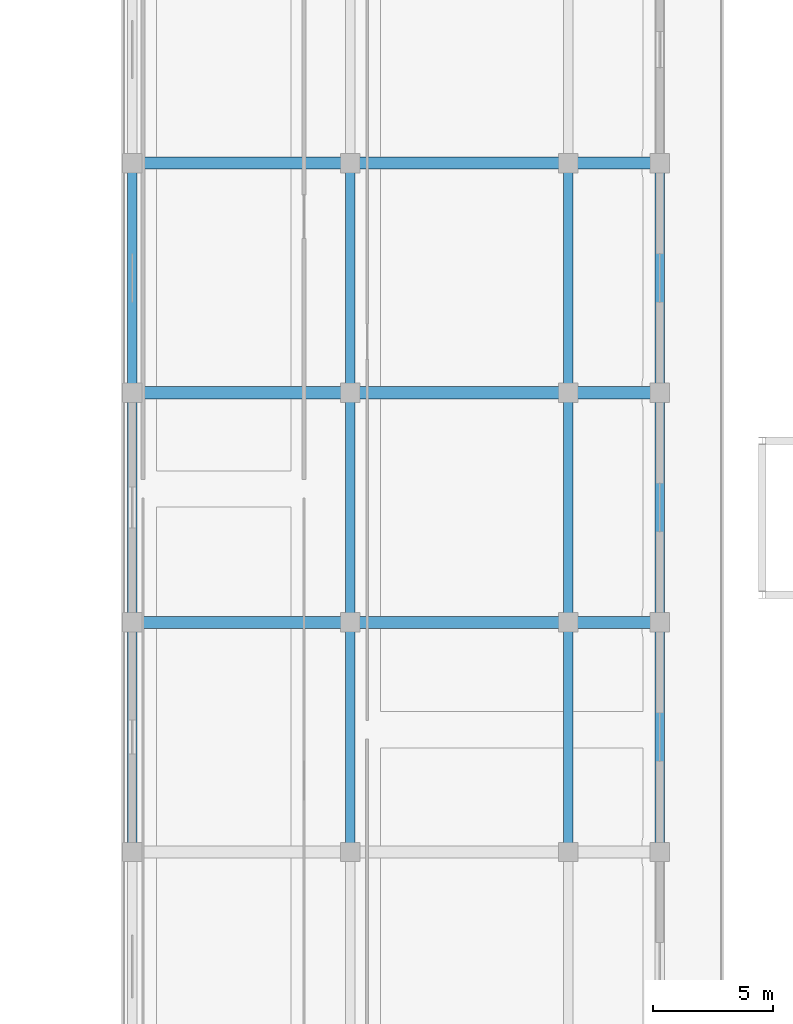
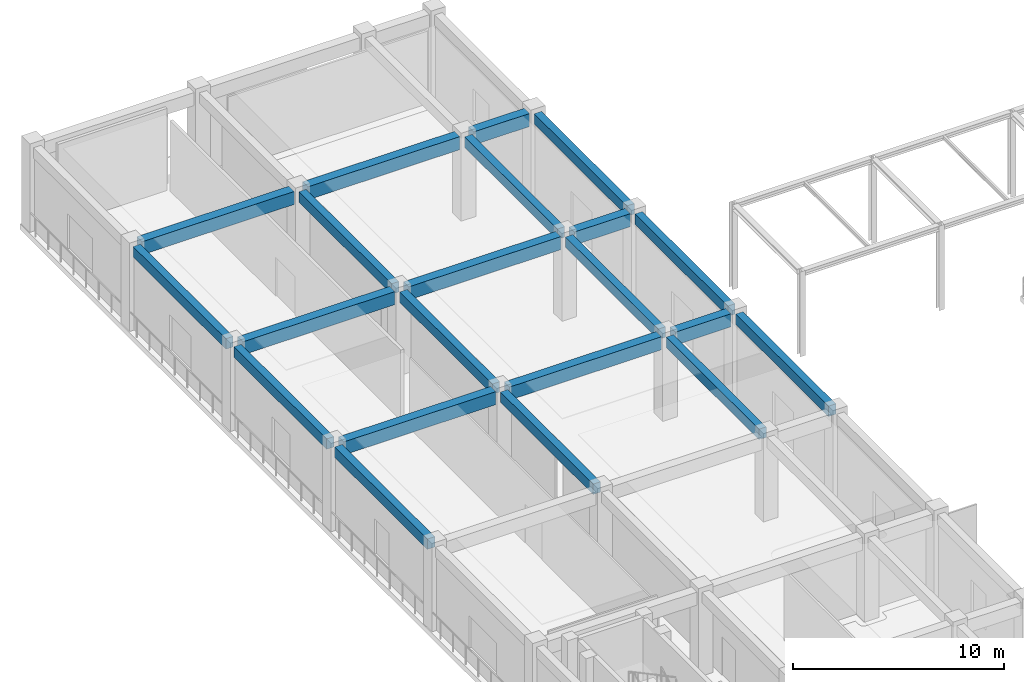
# One storey, part 50 of 99: 21 beams.
"""IFC4 building model written with IfcOpenShell, lengths in metres."""

import ifcopenshell
import ifcopenshell.guid

model = None  # the IFC model being written
_history = None  # IfcOwnerHistory: only IFC2X3 demands one
_inside = {}  # id of a spatial element -> (the spatial element, [elements in it])
_under = {}  # id of a project, library or spatial element -> (it, [spatial elements below it])
_declared = {}  # id of a project -> (the project, [libraries it declares])
_typed = {}  # id of a type object -> (the type object, [elements of that type])
_made_of = {}  # id of a material, layer set ... -> (it, [elements and type objects made of it])


def new_model(schema):
    """Start an empty IFC model of exactly this schema.

    Asked for "IFC4X3", IfcOpenShell would pick the latest addendum, in which some entities
    have other attributes; the version numbers below select the first issue.
    IFC2X3 requires an IfcOwnerHistory on every rooted entity: one is made here for all.
    """
    global model, _history
    if schema == "IFC4X3":
        model = ifcopenshell.file(schema_version=(4, 3, 0, 0))
    else:
        model = ifcopenshell.file(schema=schema)
    _inside.clear()
    _under.clear()
    _declared.clear()
    _typed.clear()
    _made_of.clear()
    _history = None
    if model.schema == "IFC2X3":
        org = make("IfcOrganization", Name="unknown")
        user = make(
            "IfcPersonAndOrganization",
            ThePerson=make("IfcPerson", FamilyName="unknown"),
            TheOrganization=org,
        )
        app = make(
            "IfcApplication",
            ApplicationDeveloper=org,
            Version="unknown",
            ApplicationFullName="unknown",
            ApplicationIdentifier="unknown",
        )
        _history = make(
            "IfcOwnerHistory",
            OwningUser=user,
            OwningApplication=app,
            ChangeAction="ADDED",
            CreationDate=0,
        )
    return model


def make(cls, **values):
    """One entity of the class cls with the attributes given. An attribute that is None is left unset."""
    return model.create_entity(
        cls, **{name: value for name, value in values.items() if value is not None}
    )


def rooted(cls, **values):
    """An entity with a GlobalId (a new one), such as an element, a storey or a relation."""
    return make(cls, GlobalId=ifcopenshell.guid.new(), OwnerHistory=_history, **values)


def si_unit(unit_type, name, prefix=None):
    """IfcSIUnit, for example si_unit("LENGTHUNIT", "METRE", prefix="MILLI")."""
    return make("IfcSIUnit", UnitType=unit_type, Prefix=prefix, Name=name)


def assignment(units):
    """IfcUnitAssignment: the units of a project."""
    return None if units is None else make("IfcUnitAssignment", Units=units)


def point(xyz):
    """IfcCartesianPoint."""
    return None if xyz is None else make("IfcCartesianPoint", Coordinates=xyz)


def direction(xyz):
    """IfcDirection."""
    return None if xyz is None else make("IfcDirection", DirectionRatios=xyz)


def frame(location, z_axis=None, x_axis=None):
    """IfcAxis2Placement3D, a coordinate frame: its origin and axes. An axis left out is left unset."""
    return make(
        "IfcAxis2Placement3D",
        Location=point(location),
        Axis=direction(z_axis),
        RefDirection=direction(x_axis),
    )


def frame_2d(location, x_axis=None):
    """IfcAxis2Placement2D, a coordinate frame in the plane: its origin and x axis."""
    return make(
        "IfcAxis2Placement2D", Location=point(location), RefDirection=direction(x_axis)
    )


def origin():
    """The frame at (0, 0, 0) with its axes left unset."""
    return frame((0.0, 0.0, 0.0))


def origin_2d():
    """The frame at (0, 0) in the plane with its x axis left unset."""
    return frame_2d((0.0, 0.0))


def place(relative_to, where):
    """IfcLocalPlacement: puts the frame where relative to a parent placement (None: the world)."""
    return make(
        "IfcLocalPlacement", PlacementRelTo=relative_to, RelativePlacement=where
    )


def context(
    kind, dimensions, precision=None, world=None, true_north=None, identifier=None
):
    """IfcGeometricRepresentationContext, for example the 3D "Model" context."""
    return make(
        "IfcGeometricRepresentationContext",
        ContextIdentifier=identifier,
        ContextType=kind,
        CoordinateSpaceDimension=dimensions,
        Precision=precision,
        WorldCoordinateSystem=world,
        TrueNorth=true_north,
    )


def subcontext(parent, identifier, kind, view, scale=None):
    """IfcGeometricRepresentationSubContext, for example "Body" below "Model"."""
    return make(
        "IfcGeometricRepresentationSubContext",
        ContextIdentifier=identifier,
        ContextType=kind,
        ParentContext=parent,
        TargetScale=scale,
        TargetView=view,
    )


def project(units=None, contexts=None):
    """IfcProject with its units and contexts."""
    return rooted(
        "IfcProject",
        Name="project",
        RepresentationContexts=contexts,
        UnitsInContext=assignment(units),
    )


def spatial(cls, under=None, at=None, **own):
    """A site, building, storey or space (cls), placed at a placement, below another one or the project."""
    s = rooted(cls, ObjectPlacement=at, **own)
    if under is not None:
        _under.setdefault(under.id(), (under, []))[1].append(s)
    return s


def profile(cls, at=None, kind="AREA", **sizes):
    """A parametric profile (cls). Its sizes go by their IFC names, for example OverallWidth=200.0."""
    return make(cls, ProfileType=kind, Position=at, **sizes)


def rectangle(**sizes):
    """IfcRectangleProfileDef."""
    return profile("IfcRectangleProfileDef", **sizes)


def extrude(swept, where, along, depth):
    """IfcExtrudedAreaSolid: the profile swept, set in the frame where, extruded along a direction by depth."""
    return make(
        "IfcExtrudedAreaSolid",
        SweptArea=swept,
        Position=where,
        ExtrudedDirection=direction(along),
        Depth=depth,
    )


def shape(context_of_items, identifier, shape_type, items):
    """IfcShapeRepresentation: the items that make up one representation, for example the "Body"."""
    return make(
        "IfcShapeRepresentation",
        ContextOfItems=context_of_items,
        RepresentationIdentifier=identifier,
        RepresentationType=shape_type,
        Items=items,
    )


def material(Name=None, Category=None):
    """IfcMaterial."""
    return make("IfcMaterial", Name=Name, Category=Category)


def material_profile(
    of_material, cross_section, Name=None, Category=None, Priority=None
):
    """IfcMaterialProfile: a cross section and its material."""
    return make(
        "IfcMaterialProfile",
        Name=Name,
        Material=of_material,
        Profile=cross_section,
        Priority=Priority,
        Category=Category,
    )


def profile_set(profiles, Name=None, composite=None):
    """IfcMaterialProfileSet."""
    return make(
        "IfcMaterialProfileSet",
        Name=Name,
        MaterialProfiles=profiles,
        CompositeProfile=composite,
    )


def made_of(thing, what):
    """Note that an element or type object is made of a material, layer set ...; save() writes the relation."""
    if what is not None:
        _made_of.setdefault(what.id(), (what, []))[1].append(thing)
    return thing


def type_object(cls, material=None, **own):
    """A type object (cls), such as IfcWallType, which elements share."""
    return made_of(rooted(cls, **own), material)


def element(
    cls,
    number,
    at=None,
    inside=None,
    cuts=None,
    type_object=None,
    material=None,
    context=None,
    identifier="Body",
    shape_type=None,
    held_by="IfcProductDefinitionShape",
    body=None,
    shapes=None,
    **own,
):
    """One element of the class cls, such as IfcWall. Its Tag is "e" and its number.

    at: its placement. inside: the storey or other place that contains it. cuts: it is an
    opening in that element (IfcRelVoidsElement). A single representation is given by context,
    identifier, shape_type and body (its items); several are given by shapes. held_by: the class
    of the entity that holds the representations. save() writes the other relations.
    """
    e = rooted(cls, Tag="e%d" % number, ObjectPlacement=at, **own)
    if body is not None:
        shapes = [shape(context, identifier, shape_type, body)]
    if shapes is not None:
        e.Representation = make(held_by, Representations=shapes)
    if inside is not None:
        _inside.setdefault(inside.id(), (inside, []))[1].append(e)
    if cuts is not None:
        rooted(
            "IfcRelVoidsElement", RelatingBuildingElement=cuts, RelatedOpeningElement=e
        )
    if type_object is not None:
        _typed.setdefault(type_object.id(), (type_object, []))[1].append(e)
    return made_of(e, material)


def aggregate(whole, parts):
    """IfcRelAggregates: a whole, such as a stair, and the parts it consists of."""
    return rooted("IfcRelAggregates", RelatingObject=whole, RelatedObjects=parts)


def save(model, path):
    """Write the relations noted so far, then the file.

    IfcRelAggregates (storeys below a building ...), IfcRelContainedInSpatialStructure (elements
    in a storey), IfcRelDefinesByType, IfcRelAssociatesMaterial and IfcRelDeclares: one each for
    every whole, place, type object, material and project.
    """
    for whole, parts in _under.values():
        aggregate(whole, parts)
    for where, things in _inside.values():
        rooted(
            "IfcRelContainedInSpatialStructure",
            RelatedElements=things,
            RelatingStructure=where,
        )
    for kind, things in _typed.values():
        rooted("IfcRelDefinesByType", RelatedObjects=things, RelatingType=kind)
    for what, things in _made_of.values():
        rooted("IfcRelAssociatesMaterial", RelatedObjects=things, RelatingMaterial=what)
    for by, libraries in _declared.values():
        rooted("IfcRelDeclares", RelatingContext=by, RelatedDefinitions=libraries)
    model.write(path)


model = new_model("IFC4")

# Units and contexts
model_context = context("Model", 3, precision=1e-05, world=origin(), true_north=direction((0.0, 1.0)))
body_context = subcontext(model_context, "Body", "Model", "MODEL_VIEW")
ifc_project = project(units=[si_unit("LENGTHUNIT", "METRE"), si_unit("AREAUNIT", "SQUARE_METRE"), si_unit("VOLUMEUNIT", "CUBIC_METRE"), si_unit("PLANEANGLEUNIT", "RADIAN"), si_unit("MASSUNIT", "GRAM", prefix="KILO")], contexts=[model_context])

# Site, building, storey
site_placement = place(None, origin())
site = spatial("IfcSite", under=ifc_project, at=site_placement, CompositionType="ELEMENT")
building_placement = place(site_placement, origin())
building = spatial("IfcBuilding", under=site, at=building_placement, Name="Saryqyr Civic Hall", CompositionType="ELEMENT")
storey_placement = place(building_placement, origin())
storey = spatial("IfcBuildingStorey", under=building, at=storey_placement, Name="L00", CompositionType="ELEMENT", Elevation=0.0)

# Beams
ifc_material_1 = material(Name="Concrete C35/45", Category="concrete")
ifc_material_profile_1 = material_profile(ifc_material_1, rectangle(XDim=0.39990234375, YDim=0.60009765625, at=origin_2d()), Name="RC 400x600")
ifc_profile_set_1 = profile_set([ifc_material_profile_1], Name="Concrete C35/45")
beam_type_1 = type_object("IfcBeamType", Name="STR-BM-RC400x600", PredefinedType="BEAM", material=ifc_profile_set_1)
for number, where, z_axis, x_axis, name in (
    (1, (8.050048828125, 127.5048828125, 4.52001953125), (0.0, 1.0, 0.0), (-1.0, 0.0, 0.0), "Beam V3-BM-NS-1-4-L00"),
    (2, (8.050048828125, 137.034912109375, 4.52001953125), (0.0, 1.0, 0.0), (-1.0, 0.0, 0.0), "Beam V3-BM-NS-1-5-L00"),
    (3, (8.050048828125, 146.56494140625, 4.52001953125), (0.0, 1.0, 0.0), (-1.0, 0.0, 0.0), "Beam V3-BM-NS-1-6-L00"),
    (4, (17.10009765625, 127.5048828125, 4.52001953125), (0.0, 1.0, 0.0), (-1.0, 0.0, 0.0), "Beam V3-BM-NS-2-4-L00"),
    (5, (17.10009765625, 137.034912109375, 4.52001953125), (0.0, 1.0, 0.0), (-1.0, 0.0, 0.0), "Beam V3-BM-NS-2-5-L00"),
    (6, (17.10009765625, 146.56494140625, 4.52001953125), (0.0, 1.0, 0.0), (-1.0, 0.0, 0.0), "Beam V3-BM-NS-2-6-L00"),
    (7, (26.14990234375, 127.5048828125, 4.52001953125), (0.0, 1.0, 0.0), (-1.0, 0.0, 0.0), "Beam V3-BM-NS-3-4-L00"),
    (8, (26.14990234375, 137.034912109375, 4.52001953125), (0.0, 1.0, 0.0), (-1.0, 0.0, 0.0), "Beam V3-BM-NS-3-5-L00"),
    (9, (26.14990234375, 146.56494140625, 4.52001953125), (0.0, 1.0, 0.0), (-1.0, 0.0, 0.0), "Beam V3-BM-NS-3-6-L00"),
    (10, (29.949951171875, 127.5048828125, 4.52001953125), (0.0, 1.0, 0.0), (-1.0, 0.0, 0.0), "Beam V3-BM-NS-4-4-L00"),
    (11, (29.949951171875, 137.034912109375, 4.52001953125), (0.0, 1.0, 0.0), (-1.0, 0.0, 0.0), "Beam V3-BM-NS-4-5-L00"),
    (12, (29.949951171875, 146.56494140625, 4.52001953125), (0.0, 1.0, 0.0), (-1.0, 0.0, 0.0), "Beam V3-BM-NS-4-6-L00"),
):
    element("IfcBeam", number, at=place(storey_placement, frame(where, z_axis=z_axis, x_axis=x_axis)), inside=storey, type_object=beam_type_1, Name=name, PredefinedType="BEAM", context=body_context, shape_type="SweptSolid", body=[
        extrude(rectangle(XDim=0.39990234375, YDim=0.60009765625, at=origin_2d()), origin(), (0.0, 0.0, 1.0), 8.780029296875),
    ])
ifc_material_2 = material(Name="Concrete C40/50", Category="concrete")
ifc_material_profile_2 = material_profile(ifc_material_2, rectangle(XDim=0.5, YDim=0.75, at=origin_2d()), Name="RC 500x750")
ifc_profile_set_2 = profile_set([ifc_material_profile_2], Name="Concrete C40/50")
beam_type_2 = type_object("IfcBeamType", Name="STR-BM-RC500x750", PredefinedType="BEAM", material=ifc_profile_set_2)
beam_1_placement = place(storey_placement, frame((8.425048828125, 136.659912109375, 4.445068359375), z_axis=(1.0, 0.0, 0.0), x_axis=(0.0, 1.0, 0.0)))
element("IfcBeam", 13, at=beam_1_placement, inside=storey, type_object=beam_type_2, Name="Beam V3-BM-EW-5-1-L00", PredefinedType="BEAM", context=body_context, shape_type="SweptSolid", body=[
    extrude(rectangle(XDim=0.5, YDim=0.75, at=origin_2d()), origin(), (0.0, 0.0, 1.0), 8.300048828125),
])
beam_2_placement = place(storey_placement, frame((17.47509765625, 136.659912109375, 4.445068359375), z_axis=(1.0, 0.0, 0.0), x_axis=(0.0, 1.0, 0.0)))
element("IfcBeam", 14, at=beam_2_placement, inside=storey, type_object=beam_type_2, Name="Beam V3-BM-EW-5-2-L00", PredefinedType="BEAM", context=body_context, shape_type="SweptSolid", body=[
    extrude(rectangle(XDim=0.5, YDim=0.75, at=origin_2d()), origin(), (0.0, 0.0, 1.0), 8.2998046875),
])
beam_3_placement = place(storey_placement, frame((26.52490234375, 136.659912109375, 4.445068359375), z_axis=(1.0, 0.0, 0.0), x_axis=(0.0, 1.0, 0.0)))
element("IfcBeam", 15, at=beam_3_placement, inside=storey, type_object=beam_type_2, Name="Beam V3-BM-EW-5-3-L00", PredefinedType="BEAM", context=body_context, shape_type="SweptSolid", body=[
    extrude(rectangle(XDim=0.5, YDim=0.75, at=origin_2d()), origin(), (0.0, 0.0, 1.0), 3.050048828125),
])
beam_4_placement = place(storey_placement, frame((8.425048828125, 146.18994140625, 4.445068359375), z_axis=(1.0, 0.0, 0.0), x_axis=(0.0, 1.0, 0.0)))
element("IfcBeam", 16, at=beam_4_placement, inside=storey, type_object=beam_type_2, Name="Beam V3-BM-EW-6-1-L00", PredefinedType="BEAM", context=body_context, shape_type="SweptSolid", body=[
    extrude(rectangle(XDim=0.5, YDim=0.75, at=origin_2d()), origin(), (0.0, 0.0, 1.0), 8.300048828125),
])
beam_5_placement = place(storey_placement, frame((17.47509765625, 146.18994140625, 4.445068359375), z_axis=(1.0, 0.0, 0.0), x_axis=(0.0, 1.0, 0.0)))
element("IfcBeam", 17, at=beam_5_placement, inside=storey, type_object=beam_type_2, Name="Beam V3-BM-EW-6-2-L00", PredefinedType="BEAM", context=body_context, shape_type="SweptSolid", body=[
    extrude(rectangle(XDim=0.5, YDim=0.75, at=origin_2d()), origin(), (0.0, 0.0, 1.0), 8.2998046875),
])
beam_6_placement = place(storey_placement, frame((26.52490234375, 146.18994140625, 4.445068359375), z_axis=(1.0, 0.0, 0.0), x_axis=(0.0, 1.0, 0.0)))
element("IfcBeam", 18, at=beam_6_placement, inside=storey, type_object=beam_type_2, Name="Beam V3-BM-EW-6-3-L00", PredefinedType="BEAM", context=body_context, shape_type="SweptSolid", body=[
    extrude(rectangle(XDim=0.5, YDim=0.75, at=origin_2d()), origin(), (0.0, 0.0, 1.0), 3.050048828125),
])
beam_7_placement = place(storey_placement, frame((8.425048828125, 155.719970703125, 4.445068359375), z_axis=(1.0, 0.0, 0.0), x_axis=(0.0, 1.0, 0.0)))
element("IfcBeam", 19, at=beam_7_placement, inside=storey, type_object=beam_type_2, Name="Beam V3-BM-EW-7-1-L00", PredefinedType="BEAM", context=body_context, shape_type="SweptSolid", body=[
    extrude(rectangle(XDim=0.5, YDim=0.75, at=origin_2d()), origin(), (0.0, 0.0, 1.0), 8.300048828125),
])
beam_8_placement = place(storey_placement, frame((17.47509765625, 155.719970703125, 4.445068359375), z_axis=(1.0, 0.0, 0.0), x_axis=(0.0, 1.0, 0.0)))
element("IfcBeam", 20, at=beam_8_placement, inside=storey, type_object=beam_type_2, Name="Beam V3-BM-EW-7-2-L00", PredefinedType="BEAM", context=body_context, shape_type="SweptSolid", body=[
    extrude(rectangle(XDim=0.5, YDim=0.75, at=origin_2d()), origin(), (0.0, 0.0, 1.0), 8.2998046875),
])
beam_9_placement = place(storey_placement, frame((26.52490234375, 155.719970703125, 4.445068359375), z_axis=(1.0, 0.0, 0.0), x_axis=(0.0, 1.0, 0.0)))
element("IfcBeam", 21, at=beam_9_placement, inside=storey, type_object=beam_type_2, Name="Beam V3-BM-EW-7-3-L00", PredefinedType="BEAM", context=body_context, shape_type="SweptSolid", body=[
    extrude(rectangle(XDim=0.5, YDim=0.75, at=origin_2d()), origin(), (0.0, 0.0, 1.0), 3.050048828125),
])

save(model, "model.ifc")
